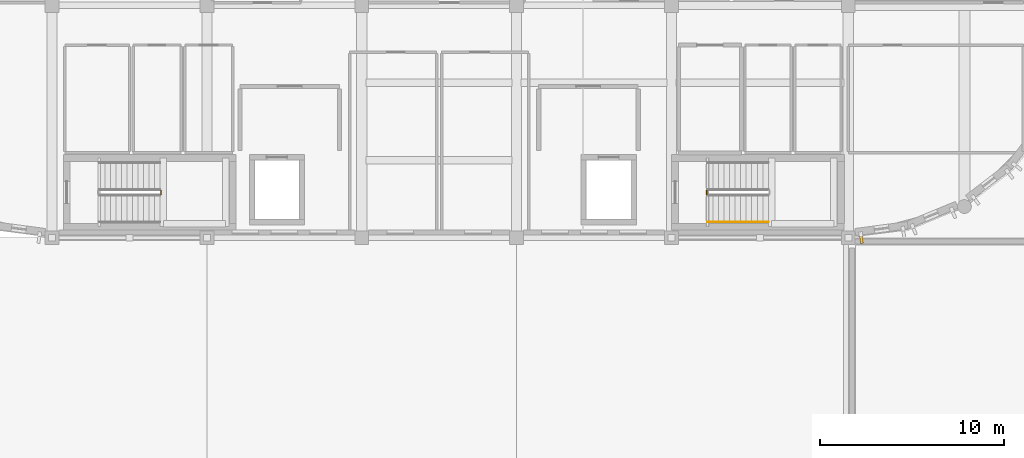
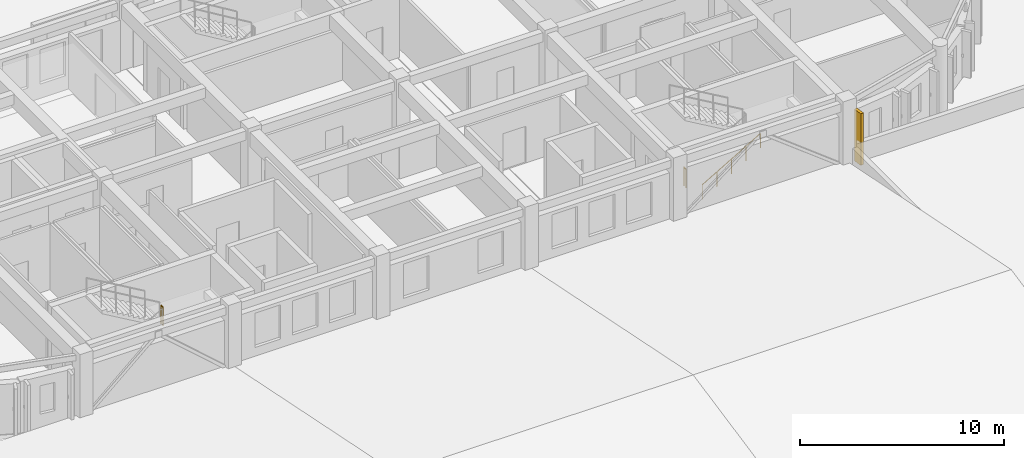
# One storey, part 41 of 46: 3 railings, 1 covering.
"""IFC4 building model written with IfcOpenShell, lengths in metres."""

from ifc_helpers import new_model, si_unit, direction, frame, origin, origin_2d, place, context, subcontext, project, spatial, rectangle, circle, extrude, material, layer, layer_set, type_object, element, save


model = new_model("IFC4")

# Units and contexts
model_context = context("Model", 3, precision=1e-05, world=origin(), true_north=direction((0.0, 1.0)))
body_context = subcontext(model_context, "Body", "Model", "MODEL_VIEW")
ifc_project = project(units=[si_unit("LENGTHUNIT", "METRE"), si_unit("AREAUNIT", "SQUARE_METRE"), si_unit("VOLUMEUNIT", "CUBIC_METRE"), si_unit("PLANEANGLEUNIT", "RADIAN"), si_unit("MASSUNIT", "GRAM", prefix="KILO")], contexts=[model_context])

# Site, building, storey
site_placement = place(None, origin())
site = spatial("IfcSite", under=ifc_project, at=site_placement, CompositionType="ELEMENT")
building_placement = place(site_placement, origin())
building = spatial("IfcBuilding", under=site, at=building_placement, Name="Tarnavel Promenade Courthouse", CompositionType="ELEMENT")
storey_placement = place(building_placement, frame((0.0, 0.0, 14.39990234375)))
storey = spatial("IfcBuildingStorey", under=building, at=storey_placement, Name="L04", CompositionType="ELEMENT", Elevation=14.39990234375)

# Railings
ifc_material_1 = material(Name="Brushed Bronze Tubular Stair Handrail")
railing_type_1 = type_object("IfcRailingType", Name="Brushed Bronze Tubular Stair Handrail (RL-HND-0900)", PredefinedType="HANDRAIL", material=ifc_material_1)
railing_placement = place(storey_placement, frame((94.360107421875, 80.050048828125, 0.175048828125)))
element("IfcRailing", 1, at=railing_placement, inside=storey, type_object=railing_type_1, Name="L04 ST-02 stair handrail 1", PredefinedType="HANDRAIL", context=body_context, shape_type="SweptSolid", body=[
    extrude(circle(Radius=0.02392578125, at=origin_2d()), frame((0.0, 0.0, 0.8759765625), z_axis=(0.863760357493, 0.0, 0.503902812876), x_axis=(0.0, 1.0, 0.0)), (0.0, 0.0, 1.0), 3.8203125),
    extrude(circle(Radius=0.02099609375, at=origin_2d()), origin(), (0.0, 0.0, 1.0), 0.851806640625),
    extrude(circle(Radius=0.02099609375, at=origin_2d()), frame((0.824951171875, 0.0, 0.481201171875)), (0.0, 0.0, 1.0), 0.851806640625),
    extrude(circle(Radius=0.02099609375, at=origin_2d()), frame((1.64990234375, 0.0, 0.96240234375)), (0.0, 0.0, 1.0), 0.851806640625),
    extrude(circle(Radius=0.02099609375, at=origin_2d()), frame((2.474853515625, 0.0, 1.44384765625)), (0.0, 0.0, 1.0), 0.851806640625),
    extrude(circle(Radius=0.02099609375, at=origin_2d()), frame((3.2998046875, 0.0, 1.925048828125)), (0.0, 0.0, 1.0), 0.851806640625),
])
ifc_material_2 = material(Name="Painted Architectural Steel Core Stair Guardrail", Category="steel")
railing_type_2 = type_object("IfcRailingType", Name="Painted Architectural Steel Core Stair Guardrail (RL-GRD-1100)", PredefinedType="GUARDRAIL", material=ifc_material_2)
for number, where, name in (
    (2, (64.7099609375, 81.56005859375, 2.10009765625), "L04 ST-01 stair guard 2"),
    (3, (94.31005859375, 81.56005859375, 0.0), "L04 ST-02 stair guard 4"),
):
    element("IfcRailing", number, at=place(storey_placement, frame(where)), inside=storey, type_object=railing_type_2, Name=name, PredefinedType="GUARDRAIL", context=body_context, shape_type="SweptSolid", body=[
        extrude(circle(Radius=0.02392578125, at=origin_2d()), frame((0.0, 0.0, 1.076171875), z_axis=(0.0, 1.0, 0.0), x_axis=(-1.0, 0.0, 0.0)), (0.0, 0.0, 1.0), 0.199951171875),
        extrude(circle(Radius=0.02099609375, at=origin_2d()), origin(), (0.0, 0.0, 1.0), 1.052001953125),
        extrude(circle(Radius=0.02099609375, at=origin_2d()), frame((0.0, 0.199951171875, 0.0)), (0.0, 0.0, 1.0), 1.052001953125),
    ])

# Covering
ifc_material_3 = material(Name="Patinated Copper-Bronze Fluted Pier Cladding")
ifc_layer = layer(ifc_material_3, 0.52001953125)
ifc_layer_set = layer_set([ifc_layer], Name="Patinated Copper-Bronze Fluted Pier Cladding")
covering_type = type_object("IfcCoveringType", Name="Patinated Copper-Bronze Fluted Pier Cladding COV-PIER-520 (520 mm)", PredefinedType="CLADDING", material=ifc_layer_set)
covering_placement = place(storey_placement, frame((102.707275390625, 79.15185546875, 0.0), z_axis=(0.0, 0.0, 1.0), x_axis=(0.991444861374, 0.13052619222, 0.0)))
element("IfcCovering", 4, at=covering_placement, inside=storey, type_object=covering_type, Name="L04 E Drum Fluted Copper Pier 0111", PredefinedType="CLADDING", context=body_context, shape_type="SweptSolid", body=[
    extrude(rectangle(XDim=0.159912109375, YDim=0.52001953125, at=origin_2d()), origin(), (0.0, 0.0, 1.0), 3.090087890625),
])

save(model, "model.ifc")
